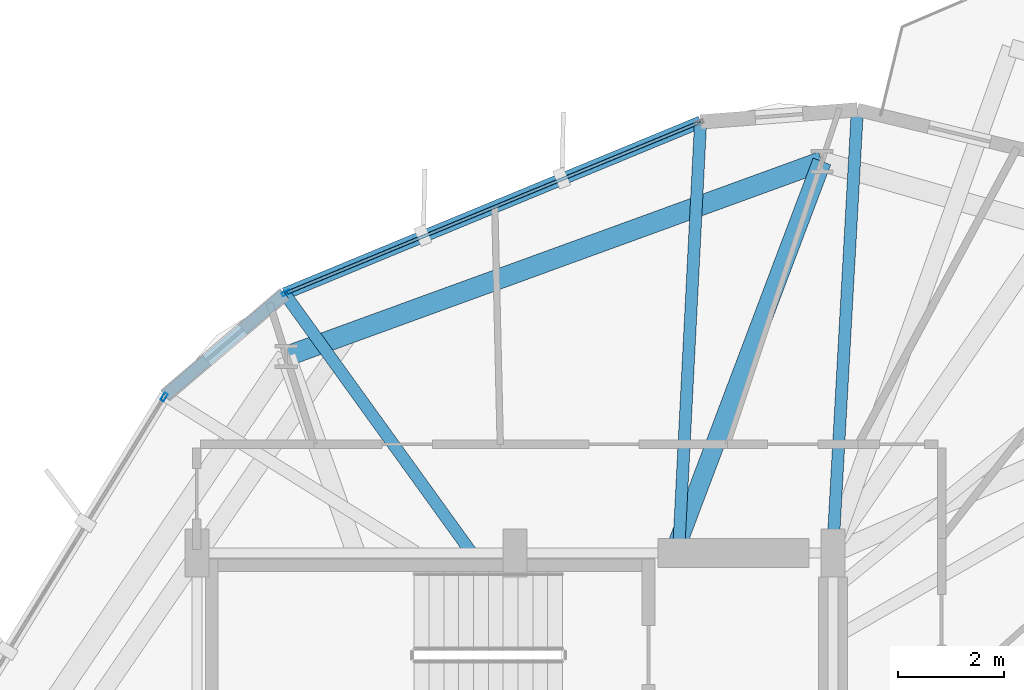
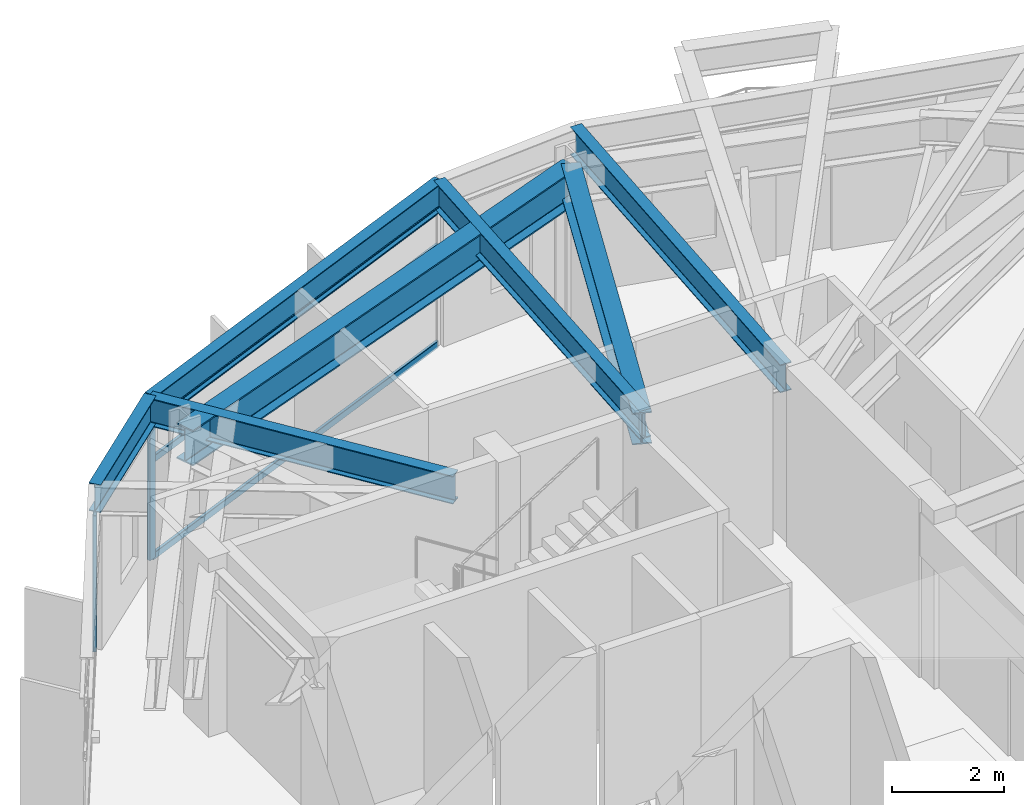
# One storey, part 12 of 21: 7 beams, 5 members, 2 elements without a shape of their own.
"""IFC4 building model written with IfcOpenShell, lengths in metres."""

from ifc_helpers import new_model, si_unit, direction, frame, origin, origin_2d, place, context, subcontext, project, spatial, hollow_rectangle, i_section, extrude, material, layer, layer_set, material_profile, profile_set, type_object, element, aggregate, save


model = new_model("IFC4")

# Units and contexts
model_context = context("Model", 3, precision=1e-05, world=origin(), true_north=direction((0.0, 1.0)))
body_context = subcontext(model_context, "Body", "Model", "MODEL_VIEW")
ifc_project = project(units=[si_unit("LENGTHUNIT", "METRE"), si_unit("AREAUNIT", "SQUARE_METRE"), si_unit("VOLUMEUNIT", "CUBIC_METRE"), si_unit("PLANEANGLEUNIT", "RADIAN"), si_unit("MASSUNIT", "GRAM", prefix="KILO")], contexts=[model_context])

# Site, building, storey
site_placement = place(None, origin())
site = spatial("IfcSite", under=ifc_project, at=site_placement, CompositionType="ELEMENT")
building_placement = place(site_placement, origin())
building = spatial("IfcBuilding", under=site, at=building_placement, Name="Soratama Intermodal Tower", CompositionType="ELEMENT")
storey_placement = place(building_placement, frame((0.0, 0.0, 114.699951171875)))
storey = spatial("IfcBuildingStorey", under=building, at=storey_placement, Name="L27", CompositionType="ELEMENT", Elevation=114.699951171875)

# Beams
ifc_material_1 = material(Name="Structural steel ASTM A992 Grade 50", Category="steel")
ifc_material_profile_1 = material_profile(ifc_material_1, i_section(OverallWidth=0.35498046875, OverallDepth=0.695068359375, WebThickness=0.015380859375, FlangeThickness=0.02490234375, FilletRadius=0.01611328125, at=origin_2d()), Name="W27X146")
ifc_profile_set_1 = profile_set([ifc_material_profile_1], Name="Structural steel ASTM A992 Grade 50")
beam_type_1 = type_object("IfcBeamType", Name="BM-RING-W27X146", PredefinedType="BEAM", material=ifc_profile_set_1)
beam_1_placement = place(storey_placement, frame((41.60009765625, 35.0, 3.25244140625), z_axis=(0.353577871145, 0.935405093549, 0.0), x_axis=(-0.935405093549, 0.353577871145, 0.0)))
element("IfcBeam", 1, at=beam_1_placement, inside=storey, type_object=beam_type_1, Name="BM-L27-RAD-03", PredefinedType="BEAM", context=body_context, shape_type="SweptSolid", body=[
    extrude(i_section(OverallWidth=0.35498046875, OverallDepth=0.695068359375, WebThickness=0.015380859375, FlangeThickness=0.02490234375, FilletRadius=0.01611328125, at=origin_2d()), origin(), (0.0, 0.0, 1.0), 7.899169921875),
])
ifc_material_2 = material(Name="Structural steel ASTM A992 Grade 50", Category="steel")
ifc_material_profile_2 = material_profile(ifc_material_2, i_section(OverallWidth=0.382080078125, OverallDepth=0.779052734375, WebThickness=0.01806640625, FlangeThickness=0.030029296875, FilletRadius=0.01806640625, at=origin_2d()), Name="W30X191")
ifc_profile_set_2 = profile_set([ifc_material_profile_2], Name="Structural steel ASTM A992 Grade 50")
beam_type_2 = type_object("IfcBeamType", Name="BM-RING-W30X191", PredefinedType="BEAM", material=ifc_profile_set_2)
beam_2_placement = place(storey_placement, frame((44.39306640625, 42.388916015625, 3.21044921875), z_axis=(-0.939690636038, -0.342025596326, 0.0), x_axis=(0.342025596326, -0.939690636038, 0.0)))
element("IfcBeam", 2, at=beam_2_placement, inside=storey, type_object=beam_type_2, Name="BM-L27-RING-03", PredefinedType="BEAM", context=body_context, shape_type="SweptSolid", body=[
    extrude(i_section(OverallWidth=0.382080078125, OverallDepth=0.779052734375, WebThickness=0.01806640625, FlangeThickness=0.030029296875, FilletRadius=0.01806640625, at=origin_2d()), origin(), (0.0, 0.0, 1.0), 10.75341796875),
])
ifc_material_3 = material(Name="Structural steel ASTM A992 Grade 50", Category="steel")
ifc_material_profile_3 = material_profile(ifc_material_3, i_section(OverallWidth=0.22900390625, OverallDepth=0.612060546875, WebThickness=0.011962890625, FlangeThickness=0.01953125, FilletRadius=0.012939453125, at=origin_2d()), Name="W24X84")
ifc_profile_set_3 = profile_set([ifc_material_profile_3], Name="Structural steel ASTM A992 Grade 50")
beam_type_3 = type_object("IfcBeamType", Name="BM-SPN-W24X84", PredefinedType="SPANDREL", material=ifc_profile_set_3)
beam_3_placement = place(storey_placement, frame((42.10400390625, 43.134033203125, 3.2939453125), z_axis=(-0.924284583223, -0.381704085932, 0.0), x_axis=(0.381704085932, -0.924284583223, 0.0)))
element("IfcBeam", 3, at=beam_3_placement, inside=storey, type_object=beam_type_3, Name="BS-L27-F03", PredefinedType="SPANDREL", context=body_context, shape_type="SweptSolid", body=[
    extrude(i_section(OverallWidth=0.22900390625, OverallDepth=0.612060546875, WebThickness=0.011962890625, FlangeThickness=0.01953125, FilletRadius=0.012939453125, at=origin_2d()), origin(), (0.0, 0.0, 1.0), 8.49072265625),
])
beam_4_placement = place(storey_placement, frame((34.256103515625, 39.89306640625, 3.2939453125), z_axis=(-0.760990451925, -0.648763078542, 0.0), x_axis=(0.648763078542, -0.760990451925, 0.0)))
element("IfcBeam", 4, at=beam_4_placement, inside=storey, type_object=beam_type_3, Name="BS-L27-CRN03", PredefinedType="SPANDREL", context=body_context, shape_type="SweptSolid", body=[
    extrude(i_section(OverallWidth=0.22900390625, OverallDepth=0.612060546875, WebThickness=0.011962890625, FlangeThickness=0.01953125, FilletRadius=0.012939453125, at=origin_2d()), origin(), (0.0, 0.0, 1.0), 2.96728515625),
])
ifc_material_4 = material(Name="Structural steel ASTM A992 Grade 50", Category="steel")
ifc_material_profile_4 = material_profile(ifc_material_4, i_section(OverallWidth=0.22900390625, OverallDepth=0.612060546875, WebThickness=0.011962890625, FlangeThickness=0.01953125, FilletRadius=0.012939453125, at=origin_2d()), Name="W24X84")
ifc_profile_set_4 = profile_set([ifc_material_profile_4], Name="Structural steel ASTM A992 Grade 50")
beam_type_4 = type_object("IfcBeamType", Name="BM-TIE-W24X84", PredefinedType="BEAM", material=ifc_profile_set_4)
beam_5_placement = place(storey_placement, frame((44.597900390625, 35.0400390625, 3.2939453125), z_axis=(0.055669512386, 0.998449250283, 0.0), x_axis=(-0.998449250283, 0.055669512386, 0.0)))
element("IfcBeam", 5, at=beam_5_placement, inside=storey, type_object=beam_type_4, Name="BM-L27-TIE1-02", PredefinedType="BEAM", context=body_context, shape_type="SweptSolid", body=[
    extrude(i_section(OverallWidth=0.22900390625, OverallDepth=0.612060546875, WebThickness=0.011962890625, FlangeThickness=0.01953125, FilletRadius=0.012939453125, at=origin_2d()), origin(), (0.0, 0.0, 1.0), 8.3369140625),
])
beam_6_placement = place(storey_placement, frame((41.68994140625, 35.0400390625, 3.2939453125), z_axis=(0.051089950187, 0.99869405575, 0.0), x_axis=(-0.99869405575, 0.051089950187, 0.0)))
element("IfcBeam", 6, at=beam_6_placement, inside=storey, type_object=beam_type_4, Name="BM-L27-TIE0-03", PredefinedType="BEAM", context=body_context, shape_type="SweptSolid", body=[
    extrude(i_section(OverallWidth=0.22900390625, OverallDepth=0.612060546875, WebThickness=0.011962890625, FlangeThickness=0.01953125, FilletRadius=0.012939453125, at=origin_2d()), origin(), (0.0, 0.0, 1.0), 8.1044921875),
])
beam_7_placement = place(storey_placement, frame((37.762939453125, 35.031982421875, 3.2939453125), z_axis=(-0.585057715627, 0.810991658024, 0.0), x_axis=(-0.810991658024, -0.585057715627, 0.0)))
element("IfcBeam", 7, at=beam_7_placement, inside=storey, type_object=beam_type_4, Name="BM-L27-TIE1-03", PredefinedType="BEAM", context=body_context, shape_type="SweptSolid", body=[
    extrude(i_section(OverallWidth=0.22900390625, OverallDepth=0.612060546875, WebThickness=0.011962890625, FlangeThickness=0.01953125, FilletRadius=0.012939453125, at=origin_2d()), origin(), (0.0, 0.0, 1.0), 5.993896484375),
])

# Curtain wall, member
ifc_material_5 = material(Name="Double-glazed aluminium curtain wall", Category="aluminium")
ifc_layer = layer(ifc_material_5, 0.159912109375)
ifc_layer_set = layer_set([ifc_layer], Name="Double-glazed aluminium curtain wall")
curtain_wall_type = type_object("IfcCurtainWallType", Name="CW-SYS-3", PredefinedType="NOTDEFINED", material=ifc_layer_set)
curtain_wall_1_placement = place(storey_placement, origin())
curtain_wall_1 = element("IfcCurtainWall", 8, at=curtain_wall_1_placement, inside=storey, type_object=curtain_wall_type, Name="L27 Faceted Curtain Wall F03", PredefinedType="NOTDEFINED")
ifc_material_6 = material(Name="Anodised aluminium AA 6063-T6", Category="aluminium")
ifc_material_profile_5 = material_profile(ifc_material_6, hollow_rectangle(XDim=0.070068359375, YDim=0.159912109375, WallThickness=0.0048828125, InnerFilletRadius=0.0048828125, OuterFilletRadius=0.010009765625, at=origin_2d()), Name="CWM160X70X5")
ifc_profile_set_5 = profile_set([ifc_material_profile_5], Name="Anodised aluminium AA 6063-T6")
member_type_1 = type_object("IfcMemberType", Name="MT-CWM-3", PredefinedType="MULLION", material=ifc_profile_set_5)
member_1_placement = place(storey_placement, frame((34.283935546875, 39.904052734375, 0.0), z_axis=(0.0, 0.0, 1.0), x_axis=(0.3817175043, -0.924279041692, 0.0)))
member_1 = element("IfcMember", 9, at=member_1_placement, type_object=member_type_1, Name="CW-3 mullion 2", PredefinedType="MULLION", context=body_context, shape_type="SweptSolid", body=[
    extrude(hollow_rectangle(XDim=0.070068359375, YDim=0.159912109375, WallThickness=0.0048828125, InnerFilletRadius=0.0048828125, OuterFilletRadius=0.010009765625, at=origin_2d()), origin(), (0.0, 0.0, 1.0), 2.97900390625),
])

curtain_wall_2_placement = place(storey_placement, origin())
curtain_wall_2 = element("IfcCurtainWall", 10, at=curtain_wall_2_placement, inside=storey, type_object=curtain_wall_type, Name="L27 Faceted Curtain Wall F04", PredefinedType="NOTDEFINED")
member_2_placement = place(storey_placement, frame((31.98291015625, 37.94287109375, 0.0), z_axis=(0.0, 0.0, 1.0), x_axis=(0.852089492692, -0.523396118102, 0.0)))
member_2 = element("IfcMember", 11, at=member_2_placement, type_object=member_type_1, Name="CW-3 mullion 1", PredefinedType="MULLION", context=body_context, shape_type="SweptSolid", body=[
    extrude(hollow_rectangle(XDim=0.070068359375, YDim=0.159912109375, WallThickness=0.0048828125, InnerFilletRadius=0.0048828125, OuterFilletRadius=0.010009765625, at=origin_2d()), origin(), (0.0, 0.0, 1.0), 2.97900390625),
])
aggregate(curtain_wall_2, [member_2])

# Member
ifc_material_7 = material(Name="Anodised aluminium AA 6063-T6", Category="aluminium")
ifc_material_profile_6 = material_profile(ifc_material_7, hollow_rectangle(XDim=0.06494140625, YDim=0.14990234375, WallThickness=0.0048828125, InnerFilletRadius=0.0048828125, OuterFilletRadius=0.010009765625, at=origin_2d()), Name="CWT150X65X5")
ifc_profile_set_6 = profile_set([ifc_material_profile_6], Name="Anodised aluminium AA 6063-T6")
member_type_2 = type_object("IfcMemberType", Name="TT-CWT-1", PredefinedType="USERDEFINED", material=ifc_profile_set_6)
member_3_placement = place(storey_placement, frame((42.048828125, 43.11083984375, 0.030029296875), z_axis=(-0.924279546359, -0.381716282312, 0.0), x_axis=(0.381716282312, -0.924279546359, 0.0)))
member_3 = element("IfcMember", 12, at=member_3_placement, type_object=member_type_2, Name="CW-3 transom 1.1", ObjectType="TRANSOM", PredefinedType="USERDEFINED", context=body_context, shape_type="SweptSolid", body=[
    extrude(hollow_rectangle(XDim=0.06494140625, YDim=0.14990234375, WallThickness=0.0048828125, InnerFilletRadius=0.0048828125, OuterFilletRadius=0.010009765625, at=origin_2d()), origin(), (0.0, 0.0, 1.0), 8.370849609375),
])

member_4_placement = place(storey_placement, frame((42.048828125, 43.11083984375, 2.150146484375), z_axis=(-0.924279546359, -0.381716282312, 0.0), x_axis=(0.381716282312, -0.924279546359, 0.0)))
member_4 = element("IfcMember", 13, at=member_4_placement, type_object=member_type_2, Name="CW-3 transom 1.2", ObjectType="TRANSOM", PredefinedType="USERDEFINED", context=body_context, shape_type="SweptSolid", body=[
    extrude(hollow_rectangle(XDim=0.06494140625, YDim=0.14990234375, WallThickness=0.0048828125, InnerFilletRadius=0.0048828125, OuterFilletRadius=0.010009765625, at=origin_2d()), origin(), (0.0, 0.0, 1.0), 8.370849609375),
])

member_5_placement = place(storey_placement, frame((42.048828125, 43.11083984375, 2.948974609375), z_axis=(-0.924279546359, -0.381716282312, 0.0), x_axis=(0.381716282312, -0.924279546359, 0.0)))
member_5 = element("IfcMember", 14, at=member_5_placement, type_object=member_type_2, Name="CW-3 transom 1.3", ObjectType="TRANSOM", PredefinedType="USERDEFINED", context=body_context, shape_type="SweptSolid", body=[
    extrude(hollow_rectangle(XDim=0.06494140625, YDim=0.14990234375, WallThickness=0.0048828125, InnerFilletRadius=0.0048828125, OuterFilletRadius=0.010009765625, at=origin_2d()), origin(), (0.0, 0.0, 1.0), 8.370849609375),
])

aggregate(curtain_wall_1, [member_1, member_3, member_4, member_5])

save(model, "model.ifc")
